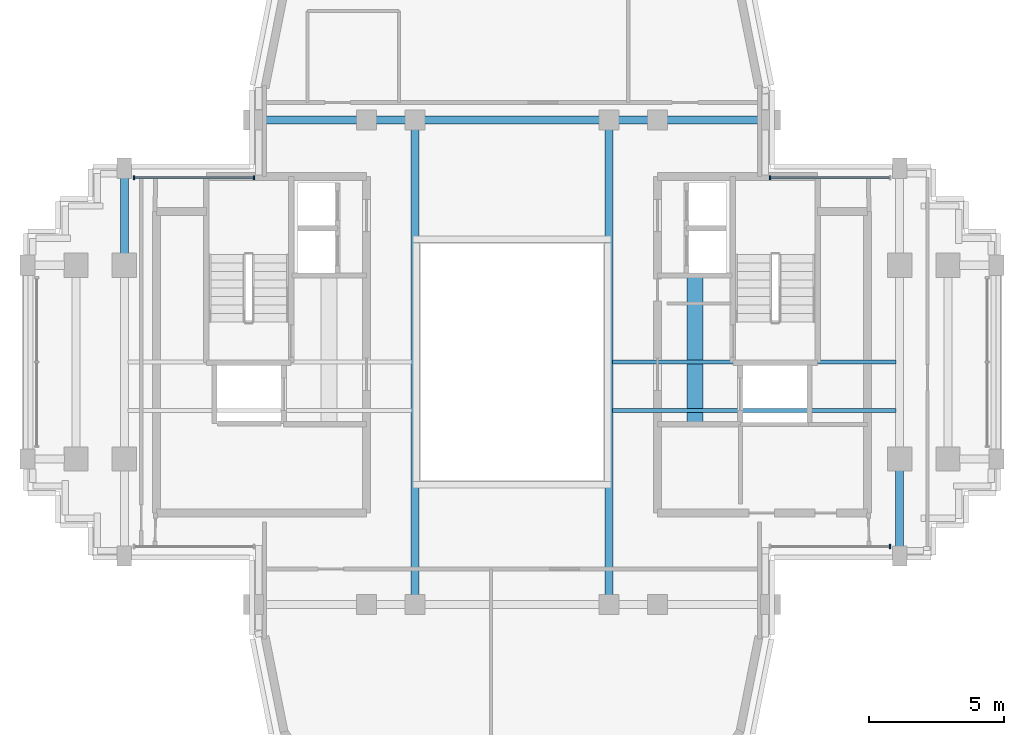
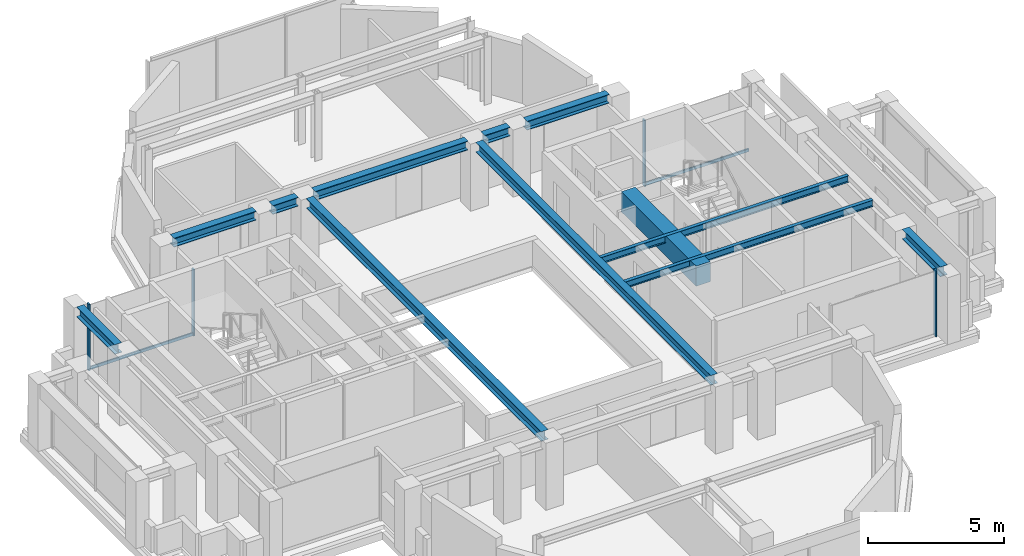
# One storey, part 5 of 12: 12 beams, 6 members, 3 elements without a shape of their own.
"""IFC4 building model written with IfcOpenShell, lengths in metres."""

from ifc_helpers import new_model, si_unit, direction, frame, origin, origin_2d, place, context, subcontext, project, spatial, rectangle, i_section, extrude, source, transform, mapped, material, material_profile, profile_set, type_object, element, aggregate, save


model = new_model("IFC4")

# Units and contexts
model_context = context("Model", 3, precision=1e-05, world=origin(), true_north=direction((0.0, 1.0)))
body_context = subcontext(model_context, "Body", "Model", "MODEL_VIEW")
ifc_project = project(units=[si_unit("LENGTHUNIT", "METRE"), si_unit("AREAUNIT", "SQUARE_METRE"), si_unit("VOLUMEUNIT", "CUBIC_METRE"), si_unit("PLANEANGLEUNIT", "RADIAN"), si_unit("MASSUNIT", "GRAM", prefix="KILO")], contexts=[model_context])

# Site, building, storey
site_placement = place(None, origin())
site = spatial("IfcSite", under=ifc_project, at=site_placement, CompositionType="ELEMENT")
building_placement = place(site_placement, origin())
building = spatial("IfcBuilding", under=site, at=building_placement, Name="Keilestroom Media Tower", CompositionType="ELEMENT")
storey_placement = place(building_placement, frame((0.0, 0.0, 236.39990234375)))
storey = spatial("IfcBuildingStorey", under=building, at=storey_placement, Name="L65", CompositionType="ELEMENT", Elevation=236.39990234375)

# Beams
ifc_material_1 = material(Name="Concrete C70/85", Category="concrete")
ifc_material_profile_1 = material_profile(ifc_material_1, rectangle(XDim=0.60009765625, YDim=0.89990234375, at=origin_2d()), Name="RC 600x900")
ifc_profile_set_1 = profile_set([ifc_material_profile_1], Name="Concrete C70/85")
beam_type_1 = type_object("IfcBeamType", Name="Core-Coupling-Lintel-Beam-RC-600x900", PredefinedType="LINTEL", material=ifc_profile_set_1)
shared_shape_1 = source(origin(), body_context, "Body", "SweptSolid", [
    extrude(rectangle(XDim=0.60009765625, YDim=0.89990234375, at=origin_2d()), origin(), (0.0, 0.0, 1.0), 5.52001953125),
])
beam_1_placement = place(storey_placement, frame((6.800048828125, -2.300048828125, 2.56005859375), z_axis=(0.0, 1.0, 0.0), x_axis=(-1.0, 0.0, 0.0)))
element("IfcBeam", 1, at=beam_1_placement, inside=storey, type_object=beam_type_1, Name="L65 Beam CLB-1 CLB-L65-E", PredefinedType="LINTEL", context=body_context, shape_type="MappedRepresentation", body=[
    mapped(shared_shape_1, transform((0.0, 0.0, 0.0), x_axis=(1.0, 0.0, 0.0), y_axis=(0.0, 1.0, 0.0), z_axis=(0.0, 0.0, 1.0), scale=1.0)),
])
ifc_material_2 = material(Name="Steel S355", Category="steel")
ifc_material_profile_2 = material_profile(ifc_material_2, i_section(OverallWidth=0.300048828125, OverallDepth=0.39990234375, WebThickness=0.011474609375, FlangeThickness=0.02392578125, at=origin_2d()), Name="HEB 400")
ifc_profile_set_2 = profile_set([ifc_material_profile_2], Name="Steel S355")
beam_type_2 = type_object("IfcBeamType", Name="Primary-Structural-Girder-HEB-400", PredefinedType="BEAM", material=ifc_profile_set_2)
shared_shape_2 = source(origin(), body_context, "Body", "SweptSolid", [
    extrude(i_section(OverallWidth=0.300048828125, OverallDepth=0.39990234375, WebThickness=0.011474609375, FlangeThickness=0.02392578125, at=origin_2d()), origin(), (0.0, 0.0, 1.0), 3.490234375),
])
for number, where, z_axis, x_axis, name in (
    (2, (-9.2451171875, 9.0, 2.81005859375), (1.0, 0.0, 0.0), (0.0, 1.0, 0.0), "L65 Beam BG-8 BM-L65-EW-016"),
    (3, (5.7548828125, 9.0, 2.81005859375), (1.0, 0.0, 0.0), (0.0, 1.0, 0.0), "L65 Beam BG-8 BM-L65-EW-020"),
):
    element("IfcBeam", number, at=place(storey_placement, frame(where, z_axis=z_axis, x_axis=x_axis)), inside=storey, type_object=beam_type_2, Name=name, PredefinedType="BEAM", context=body_context, shape_type="MappedRepresentation", body=[
        mapped(shared_shape_2, transform((0.0, 0.0, 0.0), x_axis=(1.0, 0.0, 0.0), y_axis=(0.0, 1.0, 0.0), z_axis=(0.0, 0.0, 1.0), scale=1.0)),
    ])
shared_shape_3 = source(origin(), body_context, "Body", "SweptSolid", [
    extrude(i_section(OverallWidth=0.300048828125, OverallDepth=0.39990234375, WebThickness=0.011474609375, FlangeThickness=0.02392578125, at=origin_2d()), origin(), (0.0, 0.0, 1.0), 1.08984375),
])
for number, where, z_axis, x_axis, name in (
    (4, (-5.044921875, 9.0, 2.81005859375), (1.0, 0.0, 0.0), (0.0, 1.0, 0.0), "L65 Beam BG-8 BM-L65-EW-017"),
    (5, (3.955078125, 9.0, 2.81005859375), (1.0, 0.0, 0.0), (0.0, 1.0, 0.0), "L65 Beam BG-8 BM-L65-EW-019"),
):
    element("IfcBeam", number, at=place(storey_placement, frame(where, z_axis=z_axis, x_axis=x_axis)), inside=storey, type_object=beam_type_2, Name=name, PredefinedType="BEAM", context=body_context, shape_type="MappedRepresentation", body=[
        mapped(shared_shape_3, transform((0.0, 0.0, 0.0), x_axis=(1.0, 0.0, 0.0), y_axis=(0.0, 1.0, 0.0), z_axis=(0.0, 0.0, 1.0), scale=1.0)),
    ])
shared_shape_4 = source(origin(), body_context, "Body", "SweptSolid", [
    extrude(i_section(OverallWidth=0.300048828125, OverallDepth=0.39990234375, WebThickness=0.011474609375, FlangeThickness=0.02392578125, at=origin_2d()), origin(), (0.0, 0.0, 1.0), 6.490234375),
])
beam_2_placement = place(storey_placement, frame((-3.2451171875, 9.0, 2.81005859375), z_axis=(1.0, 0.0, 0.0), x_axis=(0.0, 1.0, 0.0)))
element("IfcBeam", 6, at=beam_2_placement, inside=storey, type_object=beam_type_2, Name="L65 Beam BG-8 BM-L65-EW-018", PredefinedType="BEAM", context=body_context, shape_type="MappedRepresentation", body=[
    mapped(shared_shape_4, transform((0.0, 0.0, 0.0), x_axis=(1.0, 0.0, 0.0), y_axis=(0.0, 1.0, 0.0), z_axis=(0.0, 0.0, 1.0), scale=1.0)),
])
ifc_material_profile_3 = material_profile(ifc_material_2, i_section(OverallWidth=0.300048828125, OverallDepth=0.43994140625, WebThickness=0.011474609375, FlangeThickness=0.02099609375, at=origin_2d()), Name="HEA 450")
ifc_profile_set_3 = profile_set([ifc_material_profile_3], Name="Steel S355")
beam_type_3 = type_object("IfcBeamType", Name="Primary-Structural-Girder-HEA-450", PredefinedType="BEAM", material=ifc_profile_set_3)
shared_shape_5 = source(origin(), body_context, "Body", "SweptSolid", [
    extrude(i_section(OverallWidth=0.300048828125, OverallDepth=0.43994140625, WebThickness=0.011474609375, FlangeThickness=0.02099609375, at=origin_2d()), origin(), (0.0, 0.0, 1.0), 2.81494140625),
])
for number, where, z_axis, x_axis, name in (
    (7, (-14.39990234375, 4.030029296875, 2.7900390625), (0.0, 1.0, 0.0), (-1.0, 0.0, 0.0), "L65 Beam BG-11 BM-L65-NS-029"),
    (8, (14.39990234375, -6.844970703125, 2.7900390625), (0.0, 1.0, 0.0), (-1.0, 0.0, 0.0), "L65 Beam BG-11 BM-L65-NS-040"),
):
    element("IfcBeam", number, at=place(storey_placement, frame(where, z_axis=z_axis, x_axis=x_axis)), inside=storey, type_object=beam_type_3, Name=name, PredefinedType="BEAM", context=body_context, shape_type="MappedRepresentation", body=[
        mapped(shared_shape_5, transform((0.0, 0.0, 0.0), x_axis=(1.0, 0.0, 0.0), y_axis=(0.0, 1.0, 0.0), z_axis=(0.0, 0.0, 1.0), scale=1.0)),
    ])
shared_shape_6 = source(origin(), body_context, "Body", "SweptSolid", [
    extrude(i_section(OverallWidth=0.300048828125, OverallDepth=0.43994140625, WebThickness=0.011474609375, FlangeThickness=0.02099609375, at=origin_2d()), origin(), (0.0, 0.0, 1.0), 17.2900390625),
])
for number, where, z_axis, x_axis, name in (
    (9, (-3.60009765625, -8.64501953125, 2.7900390625), (0.0, 1.0, 0.0), (-1.0, 0.0, 0.0), "L65 Beam BG-11 BM-L65-NS-033"),
    (10, (3.60009765625, -8.64501953125, 2.7900390625), (0.0, 1.0, 0.0), (-1.0, 0.0, 0.0), "L65 Beam BG-11 BM-L65-NS-036"),
):
    element("IfcBeam", number, at=place(storey_placement, frame(where, z_axis=z_axis, x_axis=x_axis)), inside=storey, type_object=beam_type_3, Name=name, PredefinedType="BEAM", context=body_context, shape_type="MappedRepresentation", body=[
        mapped(shared_shape_6, transform((0.0, 0.0, 0.0), x_axis=(1.0, 0.0, 0.0), y_axis=(0.0, 1.0, 0.0), z_axis=(0.0, 0.0, 1.0), scale=1.0)),
    ])
ifc_material_profile_4 = material_profile(ifc_material_2, i_section(OverallWidth=0.14990234375, OverallDepth=0.300048828125, WebThickness=0.007080078125, FlangeThickness=0.0107421875, at=origin_2d()), Name="IPE 300")
ifc_profile_set_4 = profile_set([ifc_material_profile_4], Name="Steel S355")
beam_type_4 = type_object("IfcBeamType", Name="Secondary-Floor-Joist-IPE-300", PredefinedType="JOIST", material=ifc_profile_set_4)
shared_shape_7 = source(origin(), body_context, "Body", "SweptSolid", [
    extrude(i_section(OverallWidth=0.14990234375, OverallDepth=0.300048828125, WebThickness=0.007080078125, FlangeThickness=0.0107421875, at=origin_2d()), origin(), (0.0, 0.0, 1.0), 10.5400390625),
])
for number, where, z_axis, x_axis, name in (
    (11, (3.72998046875, -1.800048828125, 2.860107421875), (1.0, 0.0, 0.0), (0.0, 1.0, 0.0), "L65 Beam BJ-7 JST-L65-047"),
    (12, (3.72998046875, 0.0, 2.860107421875), (1.0, 0.0, 0.0), (0.0, 1.0, 0.0), "L65 Beam BJ-7 JST-L65-050"),
):
    element("IfcBeam", number, at=place(storey_placement, frame(where, z_axis=z_axis, x_axis=x_axis)), inside=storey, type_object=beam_type_4, Name=name, PredefinedType="JOIST", context=body_context, shape_type="MappedRepresentation", body=[
        mapped(shared_shape_7, transform((0.0, 0.0, 0.0), x_axis=(1.0, 0.0, 0.0), y_axis=(0.0, 1.0, 0.0), z_axis=(0.0, 0.0, 1.0), scale=1.0)),
    ])

# Curtain wall, members
ifc_material_3 = material(Name="Anodised Aluminium Alloy", Category="aluminium")
curtain_wall_type = type_object("IfcCurtainWallType", Name="Unitised-Curtain-Wall-CW-4", PredefinedType="NOTDEFINED", material=ifc_material_3)
curtain_wall_1_placement = place(storey_placement, origin())
curtain_wall_1 = element("IfcCurtainWall", 13, at=curtain_wall_1_placement, inside=storey, type_object=curtain_wall_type, Name="L65 Curtain Wall CW-4 CW-L65-NW-1", PredefinedType="NOTDEFINED")
ifc_material_profile_5 = material_profile(ifc_material_3, rectangle(XDim=0.06005859375, YDim=0.159912109375, at=origin_2d()), Name="ALU MULLION 60x160")
ifc_profile_set_5 = profile_set([ifc_material_profile_5], Name="Anodised Aluminium Alloy")
member_type_1 = type_object("IfcMemberType", Name="Curtain-Wall-Mullion-CW-4", PredefinedType="MULLION", material=ifc_profile_set_5)
shared_shape_8 = source(origin(), body_context, "Body", "SweptSolid", [
    extrude(rectangle(XDim=0.06005859375, YDim=0.159912109375, at=origin_2d()), origin(), (0.0, 0.0, 1.0), 2.97998046875),
])
member_1_placement = place(storey_placement, frame((-14.034912109375, 6.85009765625, 0.0), z_axis=(0.0, 0.0, 1.0), x_axis=(1.0, 0.0, 0.0)))
member_1 = element("IfcMember", 14, at=member_1_placement, type_object=member_type_1, Name="CW-4 Mullion 00", PredefinedType="MULLION", context=body_context, shape_type="MappedRepresentation", body=[
    mapped(shared_shape_8, transform((0.0, 0.0, 0.0), x_axis=(1.0, 0.0, 0.0), y_axis=(0.0, 1.0, 0.0), z_axis=(0.0, 0.0, 1.0), scale=1.0)),
])
member_2_placement = place(storey_placement, frame((-9.580078125, 6.85009765625, 0.0), z_axis=(0.0, 0.0, 1.0), x_axis=(1.0, 0.0, 0.0)))
member_2 = element("IfcMember", 15, at=member_2_placement, type_object=member_type_1, Name="CW-4 Mullion 01", PredefinedType="MULLION", context=body_context, shape_type="MappedRepresentation", body=[
    mapped(shared_shape_8, transform((0.0, 0.0, 0.0), x_axis=(1.0, 0.0, 0.0), y_axis=(0.0, 1.0, 0.0), z_axis=(0.0, 0.0, 1.0), scale=1.0)),
])

# Curtain wall, member
curtain_wall_2_placement = place(storey_placement, origin())
curtain_wall_2 = element("IfcCurtainWall", 16, at=curtain_wall_2_placement, inside=storey, type_object=curtain_wall_type, Name="L65 Curtain Wall CW-4 CW-L65-NE-1", PredefinedType="NOTDEFINED")
member_3_placement = place(storey_placement, frame((9.580078125, 6.85009765625, 0.0), z_axis=(0.0, 0.0, 1.0), x_axis=(1.0, 0.0, 0.0)))
member_3 = element("IfcMember", 17, at=member_3_placement, type_object=member_type_1, Name="CW-4 Mullion 00", PredefinedType="MULLION", context=body_context, shape_type="MappedRepresentation", body=[
    mapped(shared_shape_8, transform((0.0, 0.0, 0.0), x_axis=(1.0, 0.0, 0.0), y_axis=(0.0, 1.0, 0.0), z_axis=(0.0, 0.0, 1.0), scale=1.0)),
])

curtain_wall_3_placement = place(storey_placement, origin())
curtain_wall_3 = element("IfcCurtainWall", 18, at=curtain_wall_3_placement, inside=storey, type_object=curtain_wall_type, Name="L65 Curtain Wall CW-4 CW-L65-SE-1", PredefinedType="NOTDEFINED")
member_4_placement = place(storey_placement, frame((14.034912109375, -6.85009765625, 0.0), z_axis=(0.0, 0.0, 1.0), x_axis=(1.0, 0.0, 0.0)))
member_4 = element("IfcMember", 19, at=member_4_placement, type_object=member_type_1, Name="CW-4 Mullion 01", PredefinedType="MULLION", context=body_context, shape_type="MappedRepresentation", body=[
    mapped(shared_shape_8, transform((0.0, 0.0, 0.0), x_axis=(1.0, 0.0, 0.0), y_axis=(0.0, 1.0, 0.0), z_axis=(0.0, 0.0, 1.0), scale=1.0)),
])
aggregate(curtain_wall_3, [member_4])

# Member
ifc_material_profile_6 = material_profile(ifc_material_3, rectangle(XDim=0.06005859375, YDim=0.1298828125, at=origin_2d()), Name="ALU TRANSOM 60x130")
ifc_profile_set_6 = profile_set([ifc_material_profile_6], Name="Anodised Aluminium Alloy")
member_type_2 = type_object("IfcMemberType", Name="Curtain-Wall-Transom-CW-4", PredefinedType="USERDEFINED", material=ifc_profile_set_6)
shared_shape_9 = source(origin(), body_context, "Body", "SweptSolid", [
    extrude(rectangle(XDim=0.06005859375, YDim=0.1298828125, at=origin_2d()), origin(), (0.0, 0.0, 1.0), 4.399169921875),
])
member_5_placement = place(storey_placement, frame((-14.007080078125, 6.85009765625, 0.065185546875), z_axis=(1.0, 0.0, 0.0), x_axis=(0.0, 1.0, 0.0)))
member_5 = element("IfcMember", 20, at=member_5_placement, type_object=member_type_2, Name="CW-4 Transom 00.1", ObjectType="TRANSOM", PredefinedType="USERDEFINED", context=body_context, shape_type="MappedRepresentation", body=[
    mapped(shared_shape_9, transform((0.0, 0.0, 0.0), x_axis=(1.0, 0.0, 0.0), y_axis=(0.0, 1.0, 0.0), z_axis=(0.0, 0.0, 1.0), scale=1.0)),
])

aggregate(curtain_wall_1, [member_1, member_2, member_5])

member_6_placement = place(storey_placement, frame((9.60791015625, 6.85009765625, 0.065185546875), z_axis=(1.0, 0.0, 0.0), x_axis=(0.0, 1.0, 0.0)))
member_6 = element("IfcMember", 21, at=member_6_placement, type_object=member_type_2, Name="CW-4 Transom 00.1", ObjectType="TRANSOM", PredefinedType="USERDEFINED", context=body_context, shape_type="MappedRepresentation", body=[
    mapped(shared_shape_9, transform((0.0, 0.0, 0.0), x_axis=(1.0, 0.0, 0.0), y_axis=(0.0, 1.0, 0.0), z_axis=(0.0, 0.0, 1.0), scale=1.0)),
])

aggregate(curtain_wall_2, [member_3, member_6])

save(model, "model.ifc")
